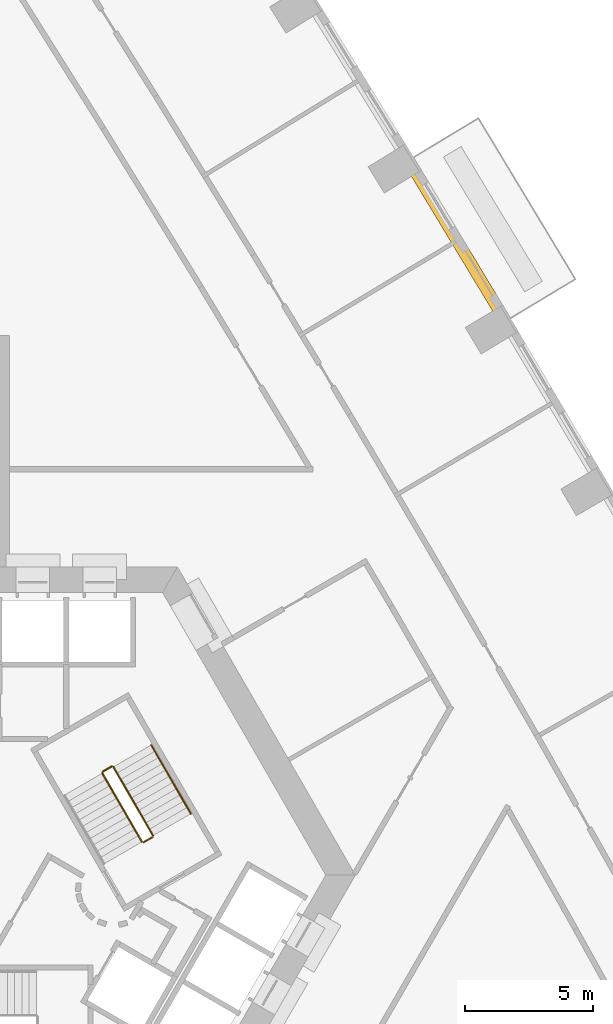
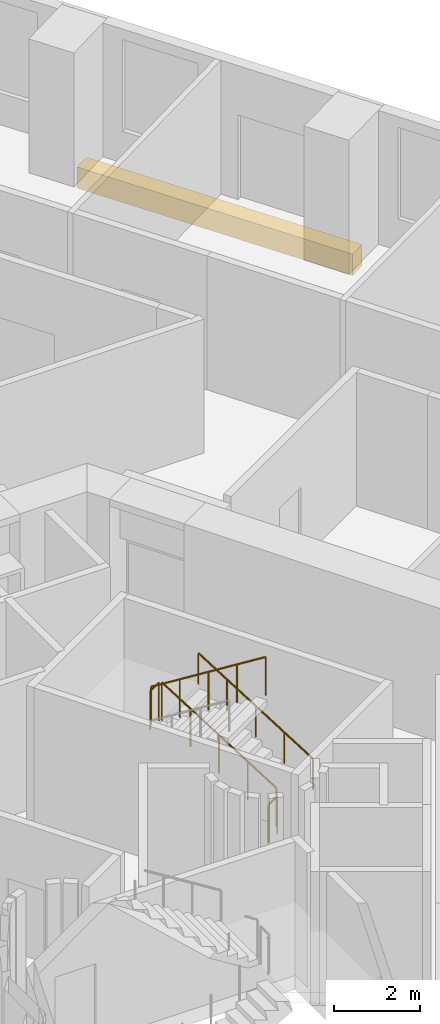
# One storey, part 15 of 16: 5 railings, 1 covering.
"""IFC4 building model written with IfcOpenShell, lengths in metres."""

from ifc_helpers import new_model, si_unit, direction, frame, origin, origin_2d, place, context, subcontext, project, spatial, polyline, circle, outline, extrude, material, type_object, element, save


model = new_model("IFC4")

# Units and contexts
model_context = context("Model", 3, precision=1e-05, world=origin(), true_north=direction((0.0, 1.0)))
body_context = subcontext(model_context, "Body", "Model", "MODEL_VIEW")
ifc_project = project(units=[si_unit("LENGTHUNIT", "METRE"), si_unit("AREAUNIT", "SQUARE_METRE"), si_unit("VOLUMEUNIT", "CUBIC_METRE"), si_unit("PLANEANGLEUNIT", "RADIAN"), si_unit("MASSUNIT", "GRAM", prefix="KILO")], contexts=[model_context])

# Site, building, storey
site_placement = place(None, origin())
site = spatial("IfcSite", under=ifc_project, at=site_placement, CompositionType="ELEMENT")
building_placement = place(site_placement, origin())
building = spatial("IfcBuilding", under=site, at=building_placement, Name="Entoto Arch Interchange Tower", CompositionType="ELEMENT")
storey_placement = place(building_placement, frame((0.0, 0.0, 60.199951171875)))
storey = spatial("IfcBuildingStorey", under=building, at=storey_placement, Name="L12", CompositionType="ELEMENT", Elevation=60.199951171875)

# Covering
ifc_material_1 = material(Name="Board-marked precast concrete C50/60", Category="concrete")
covering_type = type_object("IfcCoveringType", Name="PRECAST LEDGE COURSE", PredefinedType="CLADDING", material=ifc_material_1)
covering_placement = place(storey_placement, frame((0.0, 0.0, -1.0)))
element("IfcCovering", 1, at=covering_placement, inside=storey, type_object=covering_type, Name="Precast course NE-07 L12", PredefinedType="CLADDING", context=body_context, shape_type="SweptSolid", body=[
    extrude(outline(polyline([(15.72900390625, 30.2119140625), (16.118896484375, 30.449951171875), (19.89990234375, 24.176025390625), (19.511962890625, 23.944091796875), (15.72900390625, 30.2119140625)])), origin(), (0.0, 0.0, 1.0), 0.60009765625),
])

# Railings
ifc_material_2 = material(Name="Stainless steel 1.4301", Category="steel")
railing_type_1 = type_object("IfcRailingType", Name="STAIR GUARD 1100 STEEL", PredefinedType="GUARDRAIL", material=ifc_material_2)
railing_1_placement = place(storey_placement, frame((5.977783203125, 4.046142578125, 0.175048828125)))
element("IfcRailing", 2, at=railing_1_placement, inside=storey, type_object=railing_type_1, Name="L12 ST-NE stair guard 1", PredefinedType="GUARDRAIL", context=body_context, shape_type="SweptSolid", body=[
    extrude(circle(Radius=0.02392578125, at=origin_2d()), frame((0.0, 0.0, 1.076171875), z_axis=(-0.424015404183, 0.734364028329, 0.530019255228), x_axis=(-0.866010015463, -0.500026652407, 0.0)), (0.0, 0.0, 1.0), 3.632080078125),
    extrude(circle(Radius=0.02099609375, at=origin_2d()), origin(), (0.0, 0.0, 1.0), 1.052001953125),
    extrude(circle(Radius=0.02099609375, at=origin_2d()), frame((-0.385009765625, 0.666748046875, 0.481201171875)), (0.0, 0.0, 1.0), 1.052001953125),
    extrude(circle(Radius=0.02099609375, at=origin_2d()), frame((-0.77001953125, 1.33349609375, 0.96240234375)), (0.0, 0.0, 1.0), 1.052001953125),
    extrude(circle(Radius=0.02099609375, at=origin_2d()), frame((-1.155029296875, 2.00048828125, 1.44384765625)), (0.0, 0.0, 1.0), 1.052001953125),
    extrude(circle(Radius=0.02099609375, at=origin_2d()), frame((-1.5400390625, 2.667236328125, 1.925048828125)), (0.0, 0.0, 1.0), 1.052001953125),
])
railing_2_placement = place(storey_placement, frame((4.36962890625, 6.731689453125, 2.10009765625)))
element("IfcRailing", 3, at=railing_2_placement, inside=storey, type_object=railing_type_1, Name="L12 ST-NE stair guard 2", PredefinedType="GUARDRAIL", context=body_context, shape_type="SweptSolid", body=[
    extrude(circle(Radius=0.02392578125, at=origin_2d()), frame((0.0, 0.0, 1.076171875), z_axis=(-0.866094119867, -0.499880961361, 0.0), x_axis=(0.499880961361, -0.866094119867, 0.0)), (0.0, 0.0, 1.0), 0.39990234375),
    extrude(circle(Radius=0.02099609375, at=origin_2d()), origin(), (0.0, 0.0, 1.0), 1.052001953125),
    extrude(circle(Radius=0.02099609375, at=origin_2d()), frame((-0.346435546875, -0.199951171875, 0.0)), (0.0, 0.0, 1.0), 1.052001953125),
])
railing_3_placement = place(storey_placement, frame((4.0048828125, 6.46337890625, 2.275146484375)))
element("IfcRailing", 4, at=railing_3_placement, inside=storey, type_object=railing_type_1, Name="L12 ST-NE stair guard 3", PredefinedType="GUARDRAIL", context=body_context, shape_type="SweptSolid", body=[
    extrude(circle(Radius=0.02392578125, at=origin_2d()), frame((0.0, 0.0, 1.076171875), z_axis=(0.42403051051, -0.734390191396, 0.529970917068), x_axis=(0.866010015463, 0.500026652407, 0.0)), (0.0, 0.0, 1.0), 3.6318359375),
    extrude(circle(Radius=0.02099609375, at=origin_2d()), origin(), (0.0, 0.0, 1.0), 1.052001953125),
    extrude(circle(Radius=0.02099609375, at=origin_2d()), frame((0.385009765625, -0.666748046875, 0.481201171875)), (0.0, 0.0, 1.0), 1.052001953125),
    extrude(circle(Radius=0.02099609375, at=origin_2d()), frame((0.77001953125, -1.33349609375, 0.96240234375)), (0.0, 0.0, 1.0), 1.052001953125),
    extrude(circle(Radius=0.02099609375, at=origin_2d()), frame((1.155029296875, -2.00048828125, 1.443603515625)), (0.0, 0.0, 1.0), 1.052001953125),
    extrude(circle(Radius=0.02099609375, at=origin_2d()), frame((1.5400390625, -2.667236328125, 1.9248046875)), (0.0, 0.0, 1.0), 1.052001953125),
])
railing_4_placement = place(storey_placement, frame((5.95947265625, 3.977783203125, 0.0)))
element("IfcRailing", 5, at=railing_4_placement, inside=storey, type_object=railing_type_1, Name="L12 ST-NE stair guard 4", PredefinedType="GUARDRAIL", context=body_context, shape_type="SweptSolid", body=[
    extrude(circle(Radius=0.02392578125, at=origin_2d()), frame((0.0, 0.0, 1.076171875), z_axis=(-0.866094119867, -0.499880961361, 0.0), x_axis=(0.499880961361, -0.866094119867, 0.0)), (0.0, 0.0, 1.0), 0.39990234375),
    extrude(circle(Radius=0.02099609375, at=origin_2d()), origin(), (0.0, 0.0, 1.0), 1.052001953125),
    extrude(circle(Radius=0.02099609375, at=origin_2d()), frame((-0.346435546875, -0.199951171875, 0.0)), (0.0, 0.0, 1.0), 1.052001953125),
])
railing_type_2 = type_object("IfcRailingType", Name="STAIR HANDRAIL 900 STEEL", PredefinedType="HANDRAIL", material=ifc_material_2)
railing_5_placement = place(storey_placement, frame((7.4501953125, 4.89599609375, 0.175048828125)))
element("IfcRailing", 6, at=railing_5_placement, inside=storey, type_object=railing_type_2, Name="L12 ST-NE stair handrail 1", PredefinedType="HANDRAIL", context=body_context, shape_type="SweptSolid", body=[
    extrude(circle(Radius=0.02392578125, at=origin_2d()), frame((0.0, 0.0, 0.8759765625), z_axis=(-0.423994474112, 0.734394994316, 0.52999309264), x_axis=(-0.866029832698, -0.499992328818, 0.0)), (0.0, 0.0, 1.0), 3.63232421875),
    extrude(circle(Radius=0.02099609375, at=origin_2d()), origin(), (0.0, 0.0, 1.0), 0.851806640625),
    extrude(circle(Radius=0.02099609375, at=origin_2d()), frame((-0.385009765625, 0.6669921875, 0.481201171875)), (0.0, 0.0, 1.0), 0.851806640625),
    extrude(circle(Radius=0.02099609375, at=origin_2d()), frame((-0.77001953125, 1.333740234375, 0.96240234375)), (0.0, 0.0, 1.0), 0.851806640625),
    extrude(circle(Radius=0.02099609375, at=origin_2d()), frame((-1.155029296875, 2.00048828125, 1.44384765625)), (0.0, 0.0, 1.0), 0.851806640625),
    extrude(circle(Radius=0.02099609375, at=origin_2d()), frame((-1.5400390625, 2.66748046875, 1.925048828125)), (0.0, 0.0, 1.0), 0.851806640625),
])

save(model, "model.ifc")
